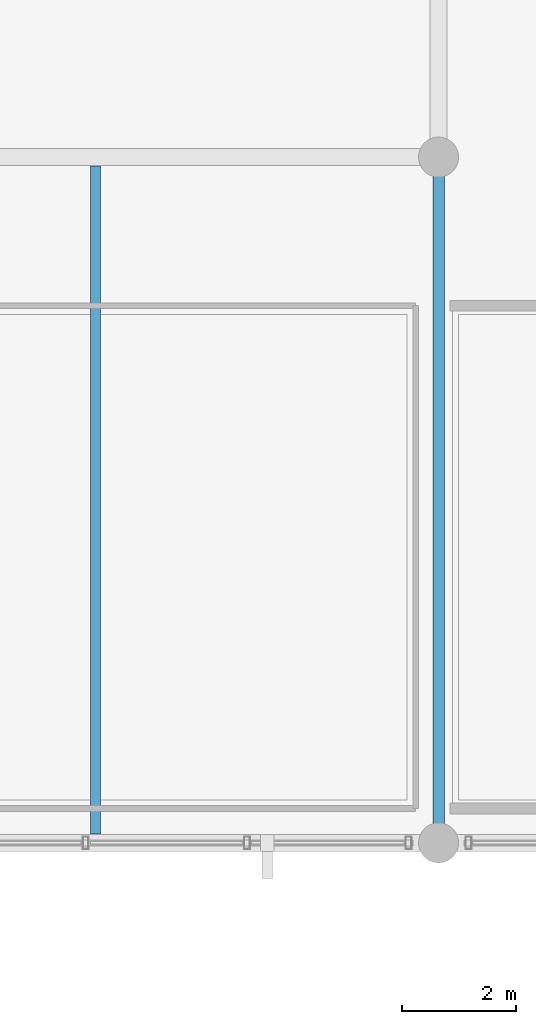
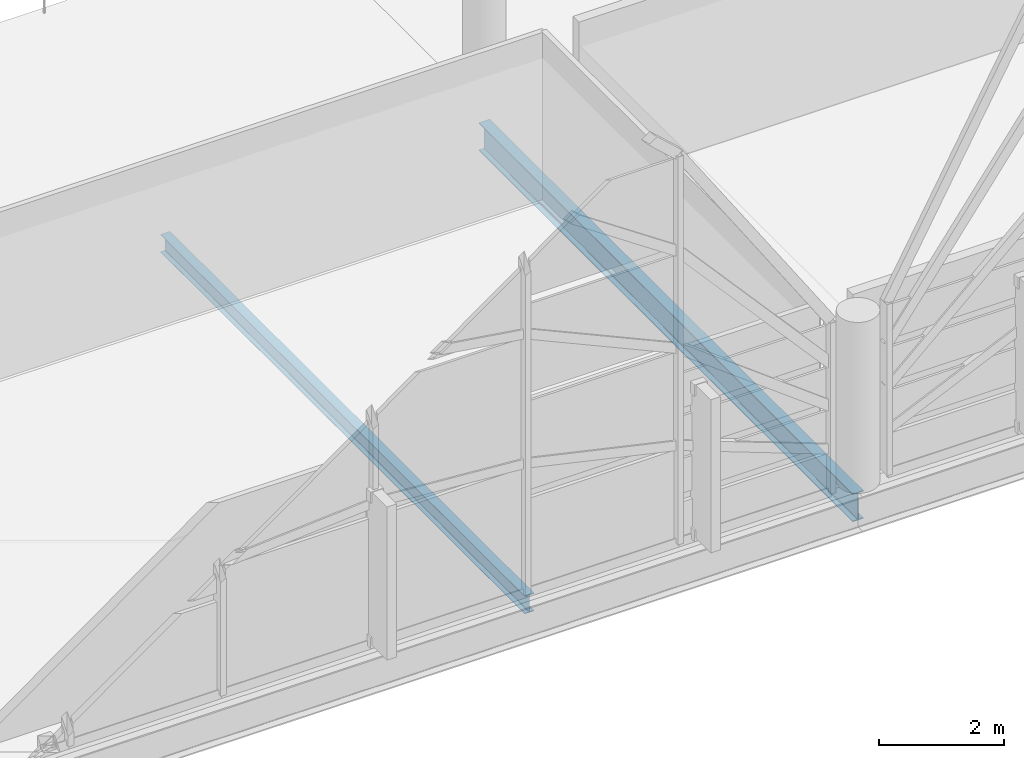
# One storey, part 26 of 116: 2 beams.
"""IFC4 building model written with IfcOpenShell, lengths in metres."""

from ifc_helpers import new_model, si_unit, direction, frame, origin, origin_2d, place, context, subcontext, project, spatial, i_section, extrude, material, material_profile, profile_set, type_object, element, save


model = new_model("IFC4")

# Units and contexts
model_context = context("Model", 3, precision=1e-05, world=origin(), true_north=direction((0.0, 1.0)))
body_context = subcontext(model_context, "Body", "Model", "MODEL_VIEW")
ifc_project = project(units=[si_unit("LENGTHUNIT", "METRE"), si_unit("AREAUNIT", "SQUARE_METRE"), si_unit("VOLUMEUNIT", "CUBIC_METRE"), si_unit("PLANEANGLEUNIT", "RADIAN"), si_unit("MASSUNIT", "GRAM", prefix="KILO")], contexts=[model_context])

# Site, building, storey
site_placement = place(None, origin())
site = spatial("IfcSite", under=ifc_project, at=site_placement, CompositionType="ELEMENT")
building_placement = place(site_placement, origin())
building = spatial("IfcBuilding", under=site, at=building_placement, Name="Chuanluo Vaults Station", CompositionType="ELEMENT")
storey_placement = place(building_placement, frame((0.0, 0.0, 10.800048828125)))
storey = spatial("IfcBuildingStorey", under=building, at=storey_placement, Name="L02", CompositionType="ELEMENT", Elevation=10.800048828125)

# Beams
ifc_material_1 = material(Name="Steel Q355C", Category="steel")
ifc_material_profile_1 = material_profile(ifc_material_1, i_section(OverallWidth=0.199951171875, OverallDepth=0.550048828125, WebThickness=0.010009765625, FlangeThickness=0.01611328125, FilletRadius=0.01806640625, at=origin_2d()))
ifc_profile_set_1 = profile_set([ifc_material_profile_1], Name="Steel Q355C")
beam_type_1 = type_object("IfcBeamType", Name="BM-GRD-550", PredefinedType="USERDEFINED", material=ifc_profile_set_1)
beam_1_placement = place(storey_placement, frame((54.0, 18.0, -0.4951171875), z_axis=(0.0, 1.0, 0.0), x_axis=(-1.0, 0.0, 0.0)))
element("IfcBeam", 1, at=beam_1_placement, inside=storey, type_object=beam_type_1, Name="Floor girder BM:GY:L02:0624", ObjectType="GIRDER", PredefinedType="USERDEFINED", context=body_context, shape_type="SweptSolid", body=[
    extrude(i_section(OverallWidth=0.199951171875, OverallDepth=0.550048828125, WebThickness=0.010009765625, FlangeThickness=0.01611328125, FilletRadius=0.01806640625, at=origin_2d()), origin(), (0.0, 0.0, 1.0), 12.0),
])
ifc_material_2 = material(Name="Steel Q355C", Category="steel")
ifc_material_profile_2 = material_profile(ifc_material_2, i_section(OverallWidth=0.175048828125, OverallDepth=0.35009765625, WebThickness=0.007080078125, FlangeThickness=0.010986328125, FilletRadius=0.013916015625, at=origin_2d()))
ifc_profile_set_2 = profile_set([ifc_material_profile_2], Name="Steel Q355C")
beam_type_2 = type_object("IfcBeamType", Name="BM-SEC-350", PredefinedType="JOIST", material=ifc_profile_set_2)
beam_2_placement = place(storey_placement, frame((48.0, 18.155029296875, -0.39501953125), z_axis=(0.0, 1.0, 0.0), x_axis=(-1.0, 0.0, 0.0)))
element("IfcBeam", 2, at=beam_2_placement, inside=storey, type_object=beam_type_2, Name="Composite secondary joist 0188", PredefinedType="JOIST", context=body_context, shape_type="SweptSolid", body=[
    extrude(i_section(OverallWidth=0.175048828125, OverallDepth=0.35009765625, WebThickness=0.007080078125, FlangeThickness=0.010986328125, FilletRadius=0.013916015625, at=origin_2d()), origin(), (0.0, 0.0, 1.0), 11.68994140625),
])

save(model, "model.ifc")
